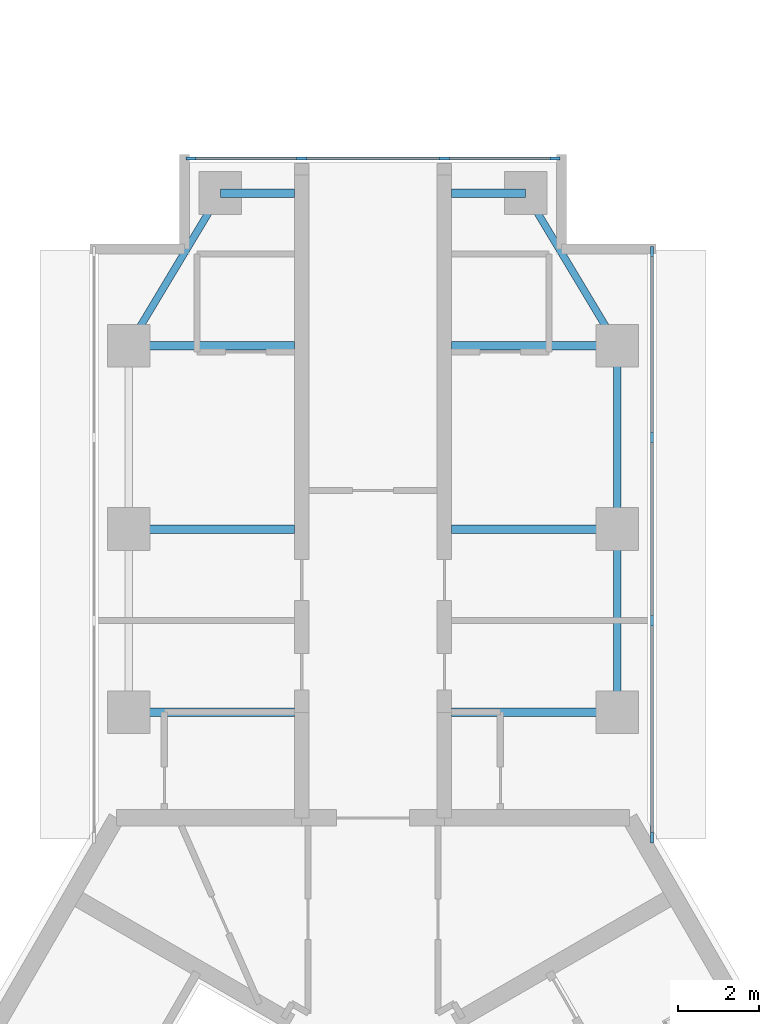
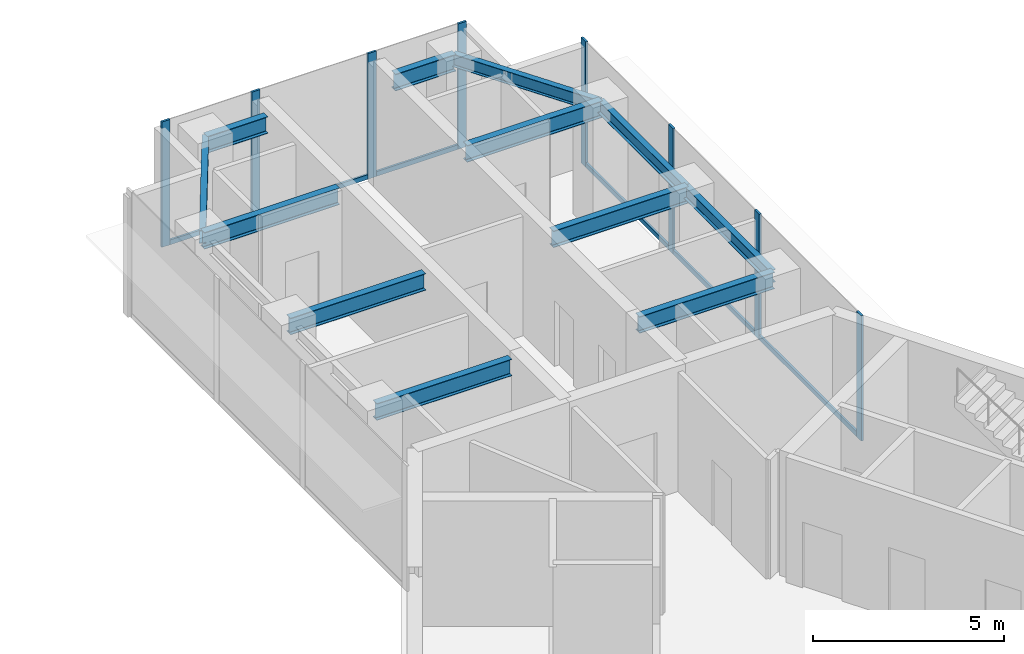
# One storey, part 3 of 11: 14 members, 12 beams, 2 elements without a shape of their own.
"""IFC4 building model written with IfcOpenShell, lengths in metres."""

from ifc_helpers import new_model, si_unit, direction, frame, origin, origin_2d, place, context, subcontext, project, spatial, rectangle, i_section, extrude, material, material_profile, profile_set, type_object, element, aggregate, save


model = new_model("IFC4")

# Units and contexts
model_context = context("Model", 3, precision=1e-05, world=origin(), true_north=direction((0.0, 1.0)))
body_context = subcontext(model_context, "Body", "Model", "MODEL_VIEW")
ifc_project = project(units=[si_unit("LENGTHUNIT", "METRE"), si_unit("AREAUNIT", "SQUARE_METRE"), si_unit("VOLUMEUNIT", "CUBIC_METRE"), si_unit("PLANEANGLEUNIT", "RADIAN"), si_unit("MASSUNIT", "GRAM", prefix="KILO")], contexts=[model_context])

# Site, building, storey
site_placement = place(None, origin())
site = spatial("IfcSite", under=ifc_project, at=site_placement, CompositionType="ELEMENT")
building_placement = place(site_placement, origin())
building = spatial("IfcBuilding", under=site, at=building_placement, Name="Upepo Twin Towers", CompositionType="ELEMENT")
storey_placement = place(building_placement, frame((0.0, 0.0, 247.5)))
storey = spatial("IfcBuildingStorey", under=building, at=storey_placement, Name="L60", CompositionType="ELEMENT", Elevation=247.5)

# Beams
ifc_material_1 = material(Name="Steel S355", Category="steel")
ifc_material_profile_1 = material_profile(ifc_material_1, i_section(OverallWidth=0.177978515625, OverallDepth=0.406494140625, WebThickness=0.0078125, FlangeThickness=0.0126953125, FilletRadius=0.01025390625, at=origin_2d()), Name="UB 406x178x60")
ifc_profile_set_1 = profile_set([ifc_material_profile_1], Name="Steel S355")
beam_type_1 = type_object("IfcBeamType", Name="Beam UB 406x178x60", PredefinedType="BEAM", material=ifc_profile_set_1)
beam_1_placement = place(storey_placement, frame((52.5, 4.5, 3.5966796875), z_axis=(0.514495755428, 0.857492925713, 0.0), x_axis=(-0.857492925713, 0.514495755428, 0.0)))
element("IfcBeam", 1, at=beam_1_placement, inside=storey, type_object=beam_type_1, Name="T2 nose edge beam AL", PredefinedType="BEAM", context=body_context, shape_type="SweptSolid", body=[
    extrude(i_section(OverallWidth=0.177978515625, OverallDepth=0.406494140625, WebThickness=0.0078125, FlangeThickness=0.0126953125, FilletRadius=0.01025390625, at=origin_2d()), origin(), (0.0, 0.0, 1.0), 4.373291015625),
])
for number, where, z_axis, x_axis, name in (
    (2, (64.5, -4.5, 3.5966796875), (0.0, 1.0, 0.0), (-1.0, 0.0, 0.0), "T2 edge beam AR 13.5-18.0"),
    (3, (64.5, 0.0, 3.5966796875), (0.0, 1.0, 0.0), (-1.0, 0.0, 0.0), "T2 edge beam AR 18.0-22.5"),
):
    element("IfcBeam", number, at=place(storey_placement, frame(where, z_axis=z_axis, x_axis=x_axis)), inside=storey, type_object=beam_type_1, Name=name, PredefinedType="BEAM", context=body_context, shape_type="SweptSolid", body=[
        extrude(i_section(OverallWidth=0.177978515625, OverallDepth=0.406494140625, WebThickness=0.0078125, FlangeThickness=0.0126953125, FilletRadius=0.01025390625, at=origin_2d()), origin(), (0.0, 0.0, 1.0), 4.5),
    ])
beam_2_placement = place(storey_placement, frame((64.5, 4.5, 3.5966796875), z_axis=(-0.514495755428, 0.857492925713, 0.0), x_axis=(-0.857492925713, -0.514495755428, 0.0)))
element("IfcBeam", 4, at=beam_2_placement, inside=storey, type_object=beam_type_1, Name="T2 nose edge beam AR", PredefinedType="BEAM", context=body_context, shape_type="SweptSolid", body=[
    extrude(i_section(OverallWidth=0.177978515625, OverallDepth=0.406494140625, WebThickness=0.0078125, FlangeThickness=0.0126953125, FilletRadius=0.01025390625, at=origin_2d()), origin(), (0.0, 0.0, 1.0), 4.373291015625),
])
ifc_material_2 = material(Name="Steel S355", Category="steel")
ifc_material_profile_2 = material_profile(ifc_material_2, i_section(OverallWidth=0.2099609375, OverallDepth=0.53662109375, WebThickness=0.0107421875, FlangeThickness=0.017333984375, FilletRadius=0.0126953125, at=origin_2d()), Name="UB 533x210x101")
ifc_profile_set_2 = profile_set([ifc_material_profile_2], Name="Steel S355")
beam_type_2 = type_object("IfcBeamType", Name="Beam UB 533x210x101", PredefinedType="BEAM", material=ifc_profile_set_2)
for number, where, z_axis, x_axis, name in (
    (5, (54.75, 8.25, 3.53173828125), (1.0, 0.0, 0.0), (0.0, 1.0, 0.0), "T2 nose beam AL"),
    (6, (62.25, 8.25, 3.53173828125), (-1.0, 0.0, 0.0), (0.0, -1.0, 0.0), "T2 nose beam AR"),
):
    element("IfcBeam", number, at=place(storey_placement, frame(where, z_axis=z_axis, x_axis=x_axis)), inside=storey, type_object=beam_type_2, Name=name, PredefinedType="BEAM", context=body_context, shape_type="SweptSolid", body=[
        extrude(i_section(OverallWidth=0.2099609375, OverallDepth=0.53662109375, WebThickness=0.0107421875, FlangeThickness=0.017333984375, FilletRadius=0.0126953125, at=origin_2d()), origin(), (0.0, 0.0, 1.0), 1.824951171875),
    ])
ifc_material_3 = material(Name="Steel S355", Category="steel")
ifc_material_profile_3 = material_profile(ifc_material_3, i_section(OverallWidth=0.209228515625, OverallDepth=0.533203125, WebThickness=0.010009765625, FlangeThickness=0.015625, FilletRadius=0.0126953125, at=origin_2d()), Name="UB 533x210x92")
ifc_profile_set_3 = profile_set([ifc_material_profile_3], Name="Steel S355")
beam_type_3 = type_object("IfcBeamType", Name="Beam UB 533x210x92", PredefinedType="BEAM", material=ifc_profile_set_3)
for number, where, z_axis, x_axis, name in (
    (7, (52.5, -4.5, 3.533447265625), (1.0, 0.0, 0.0), (0.0, 1.0, 0.0), "T2 girder AL at 13.5"),
    (8, (52.5, 0.0, 3.533447265625), (1.0, 0.0, 0.0), (0.0, 1.0, 0.0), "T2 girder AL at 18.0"),
    (9, (52.5, 4.5, 3.533447265625), (1.0, 0.0, 0.0), (0.0, 1.0, 0.0), "T2 girder AL at 22.5"),
    (10, (64.5, -4.5, 3.533447265625), (-1.0, 0.0, 0.0), (0.0, -1.0, 0.0), "T2 girder AR at 13.5"),
    (11, (64.5, 0.0, 3.533447265625), (-1.0, 0.0, 0.0), (0.0, -1.0, 0.0), "T2 girder AR at 18.0"),
    (12, (64.5, 4.5, 3.533447265625), (-1.0, 0.0, 0.0), (0.0, -1.0, 0.0), "T2 girder AR at 22.5"),
):
    element("IfcBeam", number, at=place(storey_placement, frame(where, z_axis=z_axis, x_axis=x_axis)), inside=storey, type_object=beam_type_3, Name=name, PredefinedType="BEAM", context=body_context, shape_type="SweptSolid", body=[
        extrude(i_section(OverallWidth=0.209228515625, OverallDepth=0.533203125, WebThickness=0.010009765625, FlangeThickness=0.015625, FilletRadius=0.0126953125, at=origin_2d()), origin(), (0.0, 0.0, 1.0), 4.074951171875),
    ])

# Curtain wall, members
ifc_material_4 = material(Name="Aluminium and fritted glass", Category="aluminium")
curtain_wall_type = type_object("IfcCurtainWallType", Name="Tower curtain wall TW4, fritted glass", PredefinedType="NOTDEFINED", material=ifc_material_4)
curtain_wall_1_placement = place(storey_placement, origin())
curtain_wall_1 = element("IfcCurtainWall", 13, at=curtain_wall_1_placement, inside=storey, type_object=curtain_wall_type, Name="T2 L60 wing A flank R curtain wall", PredefinedType="NOTDEFINED")
ifc_material_5 = material(Name="Aluminium mullion", Category="aluminium")
ifc_material_profile_4 = material_profile(ifc_material_5, rectangle(XDim=0.06494140625, YDim=0.25, at=origin_2d()), Name="MULLION 65x250")
ifc_profile_set_4 = profile_set([ifc_material_profile_4], Name="Aluminium mullion")
member_type_1 = type_object("IfcMemberType", Name="Mullion 65x250 TW4", PredefinedType="MULLION", material=ifc_profile_set_4)
member_1_placement = place(storey_placement, frame((65.35009765625, 6.8173828125, 0.0), z_axis=(0.0, 0.0, 1.0), x_axis=(1.0, 0.0, 0.0)))
member_1 = element("IfcMember", 14, at=member_1_placement, type_object=member_type_1, Name="T2 L60 wing A flank R curtain wall mullion 1", PredefinedType="MULLION", context=body_context, shape_type="SweptSolid", body=[
    extrude(rectangle(XDim=0.06494140625, YDim=0.25, at=origin_2d()), origin(), (0.0, 0.0, 1.0), 4.0),
])
member_2_placement = place(storey_placement, frame((65.35009765625, 2.25, 0.0), z_axis=(0.0, 0.0, 1.0), x_axis=(1.0, 0.0, 0.0)))
member_2 = element("IfcMember", 15, at=member_2_placement, type_object=member_type_1, Name="T2 L60 wing A flank R curtain wall mullion 2", PredefinedType="MULLION", context=body_context, shape_type="SweptSolid", body=[
    extrude(rectangle(XDim=0.06494140625, YDim=0.25, at=origin_2d()), origin(), (0.0, 0.0, 1.0), 4.0),
])
member_3_placement = place(storey_placement, frame((65.35009765625, -2.25, 0.0), z_axis=(0.0, 0.0, 1.0), x_axis=(1.0, 0.0, 0.0)))
member_3 = element("IfcMember", 16, at=member_3_placement, type_object=member_type_1, Name="T2 L60 wing A flank R curtain wall mullion 3", PredefinedType="MULLION", context=body_context, shape_type="SweptSolid", body=[
    extrude(rectangle(XDim=0.06494140625, YDim=0.25, at=origin_2d()), origin(), (0.0, 0.0, 1.0), 4.0),
])
member_4_placement = place(storey_placement, frame((65.35009765625, -7.580322265625, 0.0), z_axis=(0.0, 0.0, 1.0), x_axis=(1.0, 0.0, 0.0)))
member_4 = element("IfcMember", 17, at=member_4_placement, type_object=member_type_1, Name="T2 L60 wing A flank R curtain wall mullion 4", PredefinedType="MULLION", context=body_context, shape_type="SweptSolid", body=[
    extrude(rectangle(XDim=0.06494140625, YDim=0.25, at=origin_2d()), origin(), (0.0, 0.0, 1.0), 4.0),
])

curtain_wall_2_placement = place(storey_placement, origin())
curtain_wall_2 = element("IfcCurtainWall", 18, at=curtain_wall_2_placement, inside=storey, type_object=curtain_wall_type, Name="T2 L60 wing A nose curtain wall", PredefinedType="NOTDEFINED")
member_5_placement = place(storey_placement, frame((62.967529296875, 9.10009765625, 0.0), z_axis=(0.0, 0.0, 1.0), x_axis=(0.0, -1.0, 0.0)))
member_5 = element("IfcMember", 19, at=member_5_placement, type_object=member_type_1, Name="T2 L60 wing A nose curtain wall mullion 1", PredefinedType="MULLION", context=body_context, shape_type="SweptSolid", body=[
    extrude(rectangle(XDim=0.06494140625, YDim=0.25, at=origin_2d()), origin(), (0.0, 0.0, 1.0), 4.0),
])
member_6_placement = place(storey_placement, frame((60.25, 9.10009765625, 0.0), z_axis=(0.0, 0.0, 1.0), x_axis=(0.0, -1.0, 0.0)))
member_6 = element("IfcMember", 20, at=member_6_placement, type_object=member_type_1, Name="T2 L60 wing A nose curtain wall mullion 2", PredefinedType="MULLION", context=body_context, shape_type="SweptSolid", body=[
    extrude(rectangle(XDim=0.06494140625, YDim=0.25, at=origin_2d()), origin(), (0.0, 0.0, 1.0), 4.0),
])
member_7_placement = place(storey_placement, frame((56.75, 9.10009765625, 0.0), z_axis=(0.0, 0.0, 1.0), x_axis=(0.0, -1.0, 0.0)))
member_7 = element("IfcMember", 21, at=member_7_placement, type_object=member_type_1, Name="T2 L60 wing A nose curtain wall mullion 3", PredefinedType="MULLION", context=body_context, shape_type="SweptSolid", body=[
    extrude(rectangle(XDim=0.06494140625, YDim=0.25, at=origin_2d()), origin(), (0.0, 0.0, 1.0), 4.0),
])
member_8_placement = place(storey_placement, frame((54.032470703125, 9.10009765625, 0.0), z_axis=(0.0, 0.0, 1.0), x_axis=(0.0, -1.0, 0.0)))
member_8 = element("IfcMember", 22, at=member_8_placement, type_object=member_type_1, Name="T2 L60 wing A nose curtain wall mullion 4", PredefinedType="MULLION", context=body_context, shape_type="SweptSolid", body=[
    extrude(rectangle(XDim=0.06494140625, YDim=0.25, at=origin_2d()), origin(), (0.0, 0.0, 1.0), 4.0),
])

# Member
ifc_material_6 = material(Name="Aluminium transom", Category="aluminium")
ifc_material_profile_5 = material_profile(ifc_material_6, rectangle(XDim=0.06494140625, YDim=0.14990234375, at=origin_2d()), Name="TRANSOM 65x150")
ifc_profile_set_5 = profile_set([ifc_material_profile_5], Name="Aluminium transom")
member_type_2 = type_object("IfcMemberType", Name="Transom 65x150 TW4", PredefinedType="USERDEFINED", material=ifc_profile_set_5)
member_9_placement = place(storey_placement, frame((65.35009765625, 6.784912109375, 0.074951171875), z_axis=(0.0, -1.0, 0.0), x_axis=(1.0, 0.0, 0.0)))
member_9 = element("IfcMember", 23, at=member_9_placement, type_object=member_type_2, Name="T2 L60 wing A flank R curtain wall transom 1", ObjectType="TRANSOM", PredefinedType="USERDEFINED", context=body_context, shape_type="SweptSolid", body=[
    extrude(rectangle(XDim=0.06494140625, YDim=0.14990234375, at=origin_2d()), origin(), (0.0, 0.0, 1.0), 4.50244140625),
])

member_10_placement = place(storey_placement, frame((65.35009765625, 2.217529296875, 0.074951171875), z_axis=(0.0, -1.0, 0.0), x_axis=(1.0, 0.0, 0.0)))
member_10 = element("IfcMember", 24, at=member_10_placement, type_object=member_type_2, Name="T2 L60 wing A flank R curtain wall transom 2", ObjectType="TRANSOM", PredefinedType="USERDEFINED", context=body_context, shape_type="SweptSolid", body=[
    extrude(rectangle(XDim=0.06494140625, YDim=0.14990234375, at=origin_2d()), origin(), (0.0, 0.0, 1.0), 4.43505859375),
])

member_11_placement = place(storey_placement, frame((65.35009765625, -2.282470703125, 0.074951171875), z_axis=(0.0, -1.0, 0.0), x_axis=(1.0, 0.0, 0.0)))
member_11 = element("IfcMember", 25, at=member_11_placement, type_object=member_type_2, Name="T2 L60 wing A flank R curtain wall transom 3", ObjectType="TRANSOM", PredefinedType="USERDEFINED", context=body_context, shape_type="SweptSolid", body=[
    extrude(rectangle(XDim=0.06494140625, YDim=0.14990234375, at=origin_2d()), origin(), (0.0, 0.0, 1.0), 5.265380859375),
])

aggregate(curtain_wall_1, [member_1, member_2, member_3, member_4, member_9, member_10, member_11])

member_12_placement = place(storey_placement, frame((62.93505859375, 9.10009765625, 0.074951171875), z_axis=(-1.0, 0.0, 0.0), x_axis=(0.0, -1.0, 0.0)))
member_12 = element("IfcMember", 26, at=member_12_placement, type_object=member_type_2, Name="T2 L60 wing A nose curtain wall transom 1", ObjectType="TRANSOM", PredefinedType="USERDEFINED", context=body_context, shape_type="SweptSolid", body=[
    extrude(rectangle(XDim=0.06494140625, YDim=0.14990234375, at=origin_2d()), origin(), (0.0, 0.0, 1.0), 2.652587890625),
])

member_13_placement = place(storey_placement, frame((60.217529296875, 9.10009765625, 0.074951171875), z_axis=(-1.0, 0.0, 0.0), x_axis=(0.0, -1.0, 0.0)))
member_13 = element("IfcMember", 27, at=member_13_placement, type_object=member_type_2, Name="T2 L60 wing A nose curtain wall transom 2", ObjectType="TRANSOM", PredefinedType="USERDEFINED", context=body_context, shape_type="SweptSolid", body=[
    extrude(rectangle(XDim=0.06494140625, YDim=0.14990234375, at=origin_2d()), origin(), (0.0, 0.0, 1.0), 3.43505859375),
])

member_14_placement = place(storey_placement, frame((56.717529296875, 9.10009765625, 0.074951171875), z_axis=(-1.0, 0.0, 0.0), x_axis=(0.0, -1.0, 0.0)))
member_14 = element("IfcMember", 28, at=member_14_placement, type_object=member_type_2, Name="T2 L60 wing A nose curtain wall transom 3", ObjectType="TRANSOM", PredefinedType="USERDEFINED", context=body_context, shape_type="SweptSolid", body=[
    extrude(rectangle(XDim=0.06494140625, YDim=0.14990234375, at=origin_2d()), origin(), (0.0, 0.0, 1.0), 2.652587890625),
])

aggregate(curtain_wall_2, [member_5, member_6, member_7, member_8, member_12, member_13, member_14])

save(model, "model.ifc")
